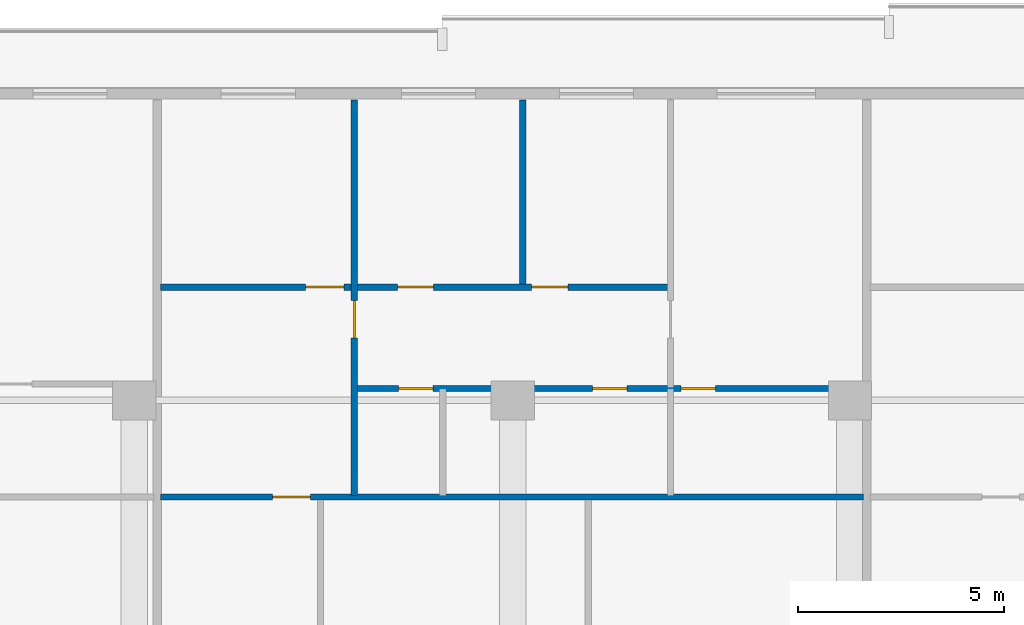
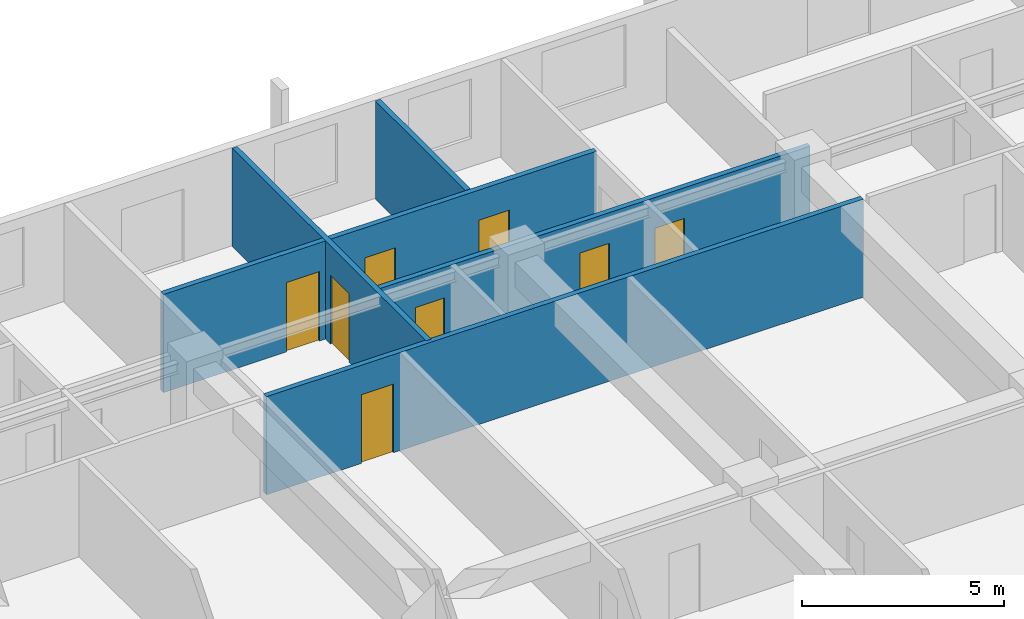
# One storey, part 16 of 24: 8 doors, 5 walls, 8 openings.
"""IFC4 building model written with IfcOpenShell, lengths in metres."""

from ifc_helpers import new_model, si_unit, direction, frame, frame_2d, origin, place, context, subcontext, project, spatial, rectangle, extrude, material, layer, layer_set, type_object, element, fill, save


model = new_model("IFC4")

# Units and contexts
model_context = context("Model", 3, precision=1e-05, world=origin(), true_north=direction((0.0, 1.0)))
body_context = subcontext(model_context, "Body", "Model", "MODEL_VIEW")
ifc_project = project(units=[si_unit("LENGTHUNIT", "METRE"), si_unit("AREAUNIT", "SQUARE_METRE"), si_unit("VOLUMEUNIT", "CUBIC_METRE"), si_unit("PLANEANGLEUNIT", "RADIAN"), si_unit("MASSUNIT", "GRAM", prefix="KILO")], contexts=[model_context])

# Site, building, storey
site_placement = place(None, origin())
site = spatial("IfcSite", under=ifc_project, at=site_placement, CompositionType="ELEMENT")
building_placement = place(site_placement, origin())
building = spatial("IfcBuilding", under=site, at=building_placement, Name="Korimba Cascade Residences", CompositionType="ELEMENT")
storey_placement = place(building_placement, frame((0.0, 0.0, 43.5)))
storey = spatial("IfcBuildingStorey", under=building, at=storey_placement, Name="L11", CompositionType="ELEMENT", Elevation=43.5)

# Wall
ifc_material_1 = material(Name="Insulated Acoustic Stud Partition", Category="gypsum")
ifc_layer = layer(ifc_material_1, 0.14990234375)
ifc_layer_set = layer_set([ifc_layer], Name="Insulated Acoustic Stud Partition")
wall_type = type_object("IfcWallType", Name="WAL-PART-150", PredefinedType="PARTITIONING", material=ifc_layer_set)
wall_1_placement = place(storey_placement, frame((112.341064453125, 94.030029296875, 0.0), z_axis=(0.0, 0.0, 1.0), x_axis=(0.0, 1.0, 0.0)))
element("IfcWall", 1, at=wall_1_placement, inside=storey, type_object=wall_type, Name="L11 Partition Wall WAL-L11-T1-U04-VSTD", PredefinedType="PARTITIONING", context=body_context, shape_type="SweptSolid", body=[
    extrude(rectangle(XDim=4.469970703125, YDim=0.14990234375, at=frame_2d((2.23486328125, 0.0))), origin(), (0.0, 0.0, 1.0), 2.969970703125),
])

# Wall, opening, door
wall_2_placement = place(storey_placement, frame((108.24755859375, 88.889892578125, 0.0), z_axis=(0.0, 0.0, 1.0), x_axis=(0.0, 1.0, 0.0)))
wall_2 = element("IfcWall", 2, at=wall_2_placement, inside=storey, type_object=wall_type, Name="L11 Partition Wall WAL-L11-T1-U04-V1", PredefinedType="PARTITIONING", context=body_context, shape_type="SweptSolid", body=[
    extrude(rectangle(XDim=9.610107421875, YDim=0.14990234375, at=frame_2d((4.80517578125, 0.0))), origin(), (0.0, 0.0, 1.0), 2.969970703125),
])
opening_1_placement = place(wall_2_placement, frame((3.820068359375, 0.0, 0.0)))
opening_1 = element("IfcOpeningElement", 3, at=opening_1_placement, cuts=wall_2, Name="Opening D-IN1", PredefinedType="OPENING", context=body_context, shape_type="SweptSolid", body=[
    extrude(rectangle(XDim=0.919921875, YDim=2.080078125, at=frame_2d((0.4599609375, 1.0400390625))), frame((0.0, 0.0849609375, 0.0), z_axis=(0.0, -1.0, 0.0), x_axis=(1.0, 0.0, 0.0)), (0.0, 0.0, 1.0), 0.169921875),
])
ifc_material_2 = material(Name="Acoustic Timber Living Door", Category="wood")
door_type_1 = type_object("IfcDoorType", Name="DR-INT-920", OperationType="NOTDEFINED", PredefinedType="DOOR", material=ifc_material_2)
door_1_placement = place(opening_1_placement, origin())
door_1 = element("IfcDoor", 4, at=door_1_placement, inside=storey, type_object=door_type_1, Name="L11-T1-U04 Hallway Door", OperationType="SINGLE_SWING_RIGHT", OverallHeight=2.080078125, OverallWidth=0.919921875, PredefinedType="DOOR", context=body_context, shape_type="SweptSolid", body=[
    extrude(rectangle(XDim=0.919921875, YDim=2.080078125, at=frame_2d((0.4599609375, 1.0400390625))), frame((0.0, 0.02490234375, 0.0), z_axis=(0.0, -1.0, 0.0), x_axis=(1.0, 0.0, 0.0)), (0.0, 0.0, 1.0), 0.050048828125),
])
fill(opening_1, door_1)

# Wall, openings, doors
wall_3_placement = place(storey_placement, frame((108.28759765625, 91.489990234375, 0.0), z_axis=(0.0, 0.0, 1.0), x_axis=(1.0, 0.0, 0.0)))
wall_3 = element("IfcWall", 5, at=wall_3_placement, inside=storey, type_object=wall_type, Name="L11 Partition Wall WAL-L11-T1-U04-HWALL", PredefinedType="PARTITIONING", context=body_context, shape_type="SweptSolid", body=[
    extrude(rectangle(XDim=12.3369140625, YDim=0.14990234375, at=frame_2d((6.16845703125, 0.0))), origin(), (0.0, 0.0, 1.0), 2.969970703125),
])
opening_2_placement = place(wall_3_placement, frame((1.033935546875, 0.0, 0.0)))
opening_2 = element("IfcOpeningElement", 6, at=opening_2_placement, cuts=wall_3, Name="Opening D-BT1", PredefinedType="OPENING", context=body_context, shape_type="SweptSolid", body=[
    extrude(rectangle(XDim=0.840087890625, YDim=2.0400390625, at=frame_2d((0.419921875, 1.02001953125))), frame((0.0, 0.0849609375, 0.0), z_axis=(0.0, -1.0, 0.0), x_axis=(1.0, 0.0, 0.0)), (0.0, 0.0, 1.0), 0.169921875),
])
opening_3_placement = place(wall_3_placement, frame((5.74853515625, 0.0, 0.0)))
opening_3 = element("IfcOpeningElement", 7, at=opening_3_placement, cuts=wall_3, Name="Opening D-BT1", PredefinedType="OPENING", context=body_context, shape_type="SweptSolid", body=[
    extrude(rectangle(XDim=0.840087890625, YDim=2.0400390625, at=frame_2d((0.419921875, 1.02001953125))), frame((0.0, 0.0849609375, 0.0), z_axis=(0.0, -1.0, 0.0), x_axis=(1.0, 0.0, 0.0)), (0.0, 0.0, 1.0), 0.169921875),
])
opening_4_placement = place(wall_3_placement, frame((7.897216796875, 0.0, 0.0)))
opening_4 = element("IfcOpeningElement", 8, at=opening_4_placement, cuts=wall_3, Name="Opening D-BT1", PredefinedType="OPENING", context=body_context, shape_type="SweptSolid", body=[
    extrude(rectangle(XDim=0.840087890625, YDim=2.0400390625, at=frame_2d((0.419921875, 1.02001953125))), frame((0.0, 0.0849609375, 0.0), z_axis=(0.0, -1.0, 0.0), x_axis=(1.0, 0.0, 0.0)), (0.0, 0.0, 1.0), 0.169921875),
])
ifc_material_3 = material(Name="Moisture-Resistant Bathroom Timber Door", Category="wood")
door_type_2 = type_object("IfcDoorType", Name="DR-INT-850", OperationType="NOTDEFINED", PredefinedType="DOOR", material=ifc_material_3)
door_2_placement = place(opening_2_placement, origin())
door_2 = element("IfcDoor", 9, at=door_2_placement, inside=storey, type_object=door_type_2, Name="L11-T1-U04 Family Bathroom Door", OperationType="SINGLE_SWING_RIGHT", OverallHeight=2.0400390625, OverallWidth=0.840087890625, PredefinedType="DOOR", context=body_context, shape_type="SweptSolid", body=[
    extrude(rectangle(XDim=0.840087890625, YDim=2.0400390625, at=frame_2d((0.419921875, 1.02001953125))), frame((0.0, 0.02490234375, 0.0), z_axis=(0.0, -1.0, 0.0), x_axis=(1.0, 0.0, 0.0)), (0.0, 0.0, 1.0), 0.050048828125),
])
fill(opening_2, door_2)
door_3_placement = place(opening_3_placement, origin())
door_3 = element("IfcDoor", 10, at=door_3_placement, inside=storey, type_object=door_type_2, Name="L11-T1-U04 Dressing Room Door", OperationType="SINGLE_SWING_LEFT", OverallHeight=2.0400390625, OverallWidth=0.840087890625, PredefinedType="DOOR", context=body_context, shape_type="SweptSolid", body=[
    extrude(rectangle(XDim=0.840087890625, YDim=2.0400390625, at=frame_2d((0.419921875, 1.02001953125))), frame((0.0, 0.02490234375, 0.0), z_axis=(0.0, -1.0, 0.0), x_axis=(1.0, 0.0, 0.0)), (0.0, 0.0, 1.0), 0.050048828125),
])
fill(opening_3, door_3)
door_4_placement = place(opening_4_placement, origin())
door_4 = element("IfcDoor", 11, at=door_4_placement, inside=storey, type_object=door_type_2, Name="L11-T1-U04 En-Suite Door", OperationType="SINGLE_SWING_RIGHT", OverallHeight=2.0400390625, OverallWidth=0.840087890625, PredefinedType="DOOR", context=body_context, shape_type="SweptSolid", body=[
    extrude(rectangle(XDim=0.840087890625, YDim=2.0400390625, at=frame_2d((0.419921875, 1.02001953125))), frame((0.0, 0.02490234375, 0.0), z_axis=(0.0, -1.0, 0.0), x_axis=(1.0, 0.0, 0.0)), (0.0, 0.0, 1.0), 0.050048828125),
])
fill(opening_4, door_4)

# Wall, opening, door
wall_4_placement = place(storey_placement, frame((103.53759765625, 88.85009765625, 0.0), z_axis=(0.0, 0.0, 1.0), x_axis=(1.0, 0.0, 0.0)))
wall_4 = element("IfcWall", 12, at=wall_4_placement, inside=storey, type_object=wall_type, Name="L11 Partition Wall WAL-L11-T1-U04-MW", PredefinedType="PARTITIONING", context=body_context, shape_type="SweptSolid", body=[
    extrude(rectangle(XDim=17.0869140625, YDim=0.14990234375, at=frame_2d((8.54345703125, 0.0))), origin(), (0.0, 0.0, 1.0), 2.969970703125),
])
opening_5_placement = place(wall_4_placement, frame((2.719970703125, 0.0, 0.0)))
opening_5 = element("IfcOpeningElement", 13, at=opening_5_placement, cuts=wall_4, Name="Opening D-IN1", PredefinedType="OPENING", context=body_context, shape_type="SweptSolid", body=[
    extrude(rectangle(XDim=0.919921875, YDim=2.080078125, at=frame_2d((0.4599609375, 1.0400390625))), frame((0.0, 0.0849609375, 0.0), z_axis=(0.0, -1.0, 0.0), x_axis=(1.0, 0.0, 0.0)), (0.0, 0.0, 1.0), 0.169921875),
])
door_5_placement = place(opening_5_placement, origin())
door_5 = element("IfcDoor", 14, at=door_5_placement, inside=storey, type_object=door_type_1, Name="L11-T1-U04 Kitchen Door", OperationType="SINGLE_SWING_LEFT", OverallHeight=2.080078125, OverallWidth=0.919921875, PredefinedType="DOOR", context=body_context, shape_type="SweptSolid", body=[
    extrude(rectangle(XDim=0.919921875, YDim=2.080078125, at=frame_2d((0.4599609375, 1.0400390625))), frame((0.0, 0.02490234375, 0.0), z_axis=(0.0, -1.0, 0.0), x_axis=(1.0, 0.0, 0.0)), (0.0, 0.0, 1.0), 0.050048828125),
])
fill(opening_5, door_5)

# Wall, openings, doors
wall_5_placement = place(storey_placement, frame((103.53759765625, 93.949951171875, 0.0), z_axis=(0.0, 0.0, 1.0), x_axis=(1.0, 0.0, 0.0)))
wall_5 = element("IfcWall", 15, at=wall_5_placement, inside=storey, type_object=wall_type, Name="L11 Partition Wall WAL-L11-T1-U04-HZ", PredefinedType="PARTITIONING", context=body_context, shape_type="SweptSolid", body=[
    extrude(rectangle(XDim=12.39697265625, YDim=0.14990234375, at=frame_2d((6.198486328125, 0.0))), origin(), (0.0, 0.0, 1.0), 2.969970703125),
])
opening_6_placement = place(wall_5_placement, frame((3.52001953125, 0.0, 0.0)))
opening_6 = element("IfcOpeningElement", 16, at=opening_6_placement, cuts=wall_5, Name="Opening D-IN0", PredefinedType="OPENING", context=body_context, shape_type="SweptSolid", body=[
    extrude(rectangle(XDim=0.93994140625, YDim=2.10009765625, at=frame_2d((0.469970703125, 1.050048828125))), frame((0.0, 0.0849609375, 0.0), z_axis=(0.0, -1.0, 0.0), x_axis=(1.0, 0.0, 0.0)), (0.0, 0.0, 1.0), 0.169921875),
])
opening_7_placement = place(wall_5_placement, frame((5.758544921875, 0.0, 0.0)))
opening_7 = element("IfcOpeningElement", 17, at=opening_7_placement, cuts=wall_5, Name="Opening D-IN2", PredefinedType="OPENING", context=body_context, shape_type="SweptSolid", body=[
    extrude(rectangle(XDim=0.8798828125, YDim=2.06005859375, at=frame_2d((0.43994140625, 1.030029296875))), frame((0.0, 0.0849609375, 0.0), z_axis=(0.0, -1.0, 0.0), x_axis=(1.0, 0.0, 0.0)), (0.0, 0.0, 1.0), 0.169921875),
])
opening_8_placement = place(wall_5_placement, frame((9.0234375, 0.0, 0.0)))
opening_8 = element("IfcOpeningElement", 18, at=opening_8_placement, cuts=wall_5, Name="Opening D-IN2", PredefinedType="OPENING", context=body_context, shape_type="SweptSolid", body=[
    extrude(rectangle(XDim=0.8798828125, YDim=2.06005859375, at=frame_2d((0.43994140625, 1.030029296875))), frame((0.0, 0.0849609375, 0.0), z_axis=(0.0, -1.0, 0.0), x_axis=(1.0, 0.0, 0.0)), (0.0, 0.0, 1.0), 0.169921875),
])
ifc_material_4 = material(Name="Acoustic Timber Bedroom Door", Category="wood")
door_type_3 = type_object("IfcDoorType", Name="DR-INT-880", OperationType="NOTDEFINED", PredefinedType="DOOR", material=ifc_material_4)
door_6_placement = place(opening_7_placement, origin())
door_6 = element("IfcDoor", 19, at=door_6_placement, inside=storey, type_object=door_type_3, Name="L11-T1-U04 Bedroom 2 Door", OperationType="SINGLE_SWING_LEFT", OverallHeight=2.06005859375, OverallWidth=0.8798828125, PredefinedType="DOOR", context=body_context, shape_type="SweptSolid", body=[
    extrude(rectangle(XDim=0.8798828125, YDim=2.06005859375, at=frame_2d((0.43994140625, 1.030029296875))), frame((0.0, 0.02490234375, 0.0), z_axis=(0.0, -1.0, 0.0), x_axis=(1.0, 0.0, 0.0)), (0.0, 0.0, 1.0), 0.050048828125),
])
fill(opening_7, door_6)
door_7_placement = place(opening_8_placement, origin())
door_7 = element("IfcDoor", 20, at=door_7_placement, inside=storey, type_object=door_type_3, Name="L11-T1-U04 Study Door", OperationType="SINGLE_SWING_RIGHT", OverallHeight=2.06005859375, OverallWidth=0.8798828125, PredefinedType="DOOR", context=body_context, shape_type="SweptSolid", body=[
    extrude(rectangle(XDim=0.8798828125, YDim=2.06005859375, at=frame_2d((0.43994140625, 1.030029296875))), frame((0.0, 0.02490234375, 0.0), z_axis=(0.0, -1.0, 0.0), x_axis=(1.0, 0.0, 0.0)), (0.0, 0.0, 1.0), 0.050048828125),
])
fill(opening_8, door_7)
ifc_material_5 = material(Name="Acoustic Timber Living Archway Door", Category="wood")
door_type_4 = type_object("IfcDoorType", Name="DR-INT-950", OperationType="NOTDEFINED", PredefinedType="DOOR", material=ifc_material_5)
door_8_placement = place(opening_6_placement, origin())
door_8 = element("IfcDoor", 21, at=door_8_placement, inside=storey, type_object=door_type_4, Name="L11-T1-U04 Living Room Door", OperationType="SINGLE_SWING_RIGHT", OverallHeight=2.10009765625, OverallWidth=0.93994140625, PredefinedType="DOOR", context=body_context, shape_type="SweptSolid", body=[
    extrude(rectangle(XDim=0.93994140625, YDim=2.10009765625, at=frame_2d((0.469970703125, 1.050048828125))), frame((0.0, 0.02490234375, 0.0), z_axis=(0.0, -1.0, 0.0), x_axis=(1.0, 0.0, 0.0)), (0.0, 0.0, 1.0), 0.050048828125),
])
fill(opening_6, door_8)

save(model, "model.ifc")
